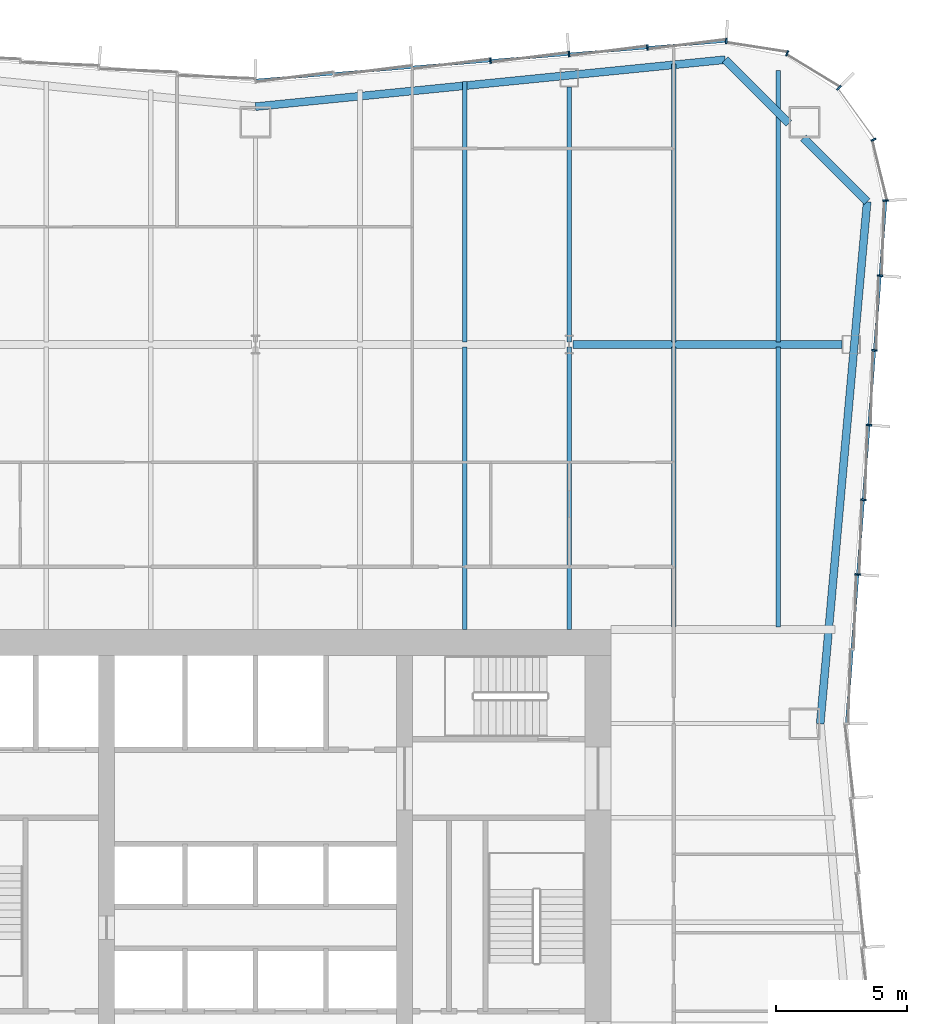
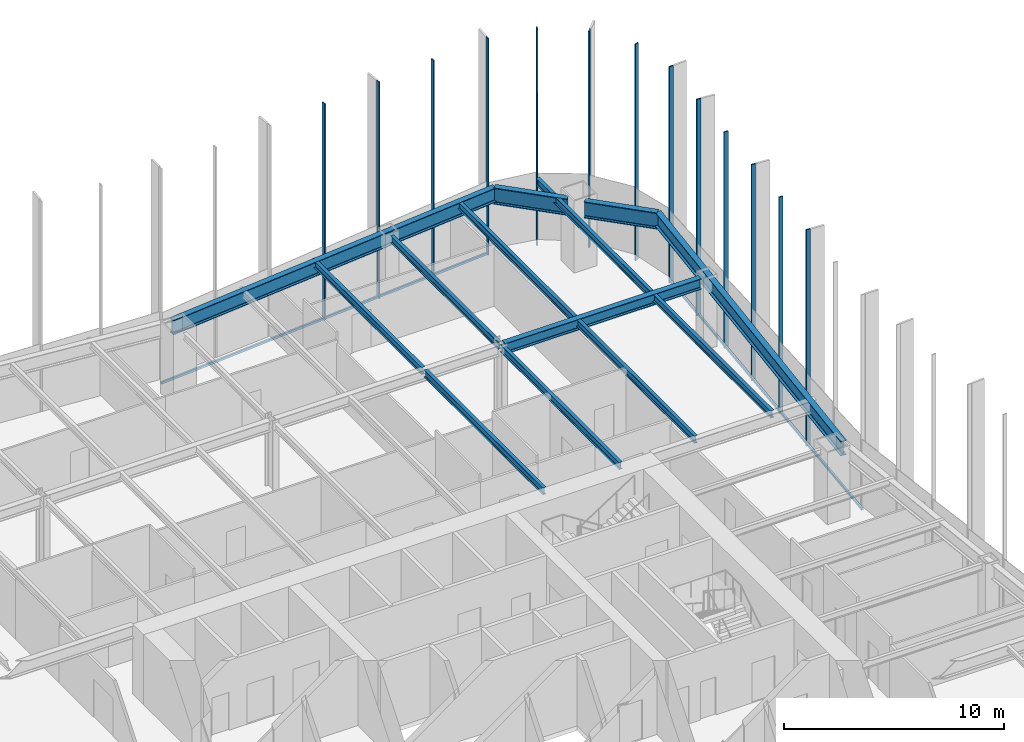
# One storey, part 7 of 13: 15 members, 13 beams, 3 elements without a shape of their own.
"""IFC4 building model written with IfcOpenShell, lengths in metres."""

import ifcopenshell
import ifcopenshell.guid

model = None  # the IFC model being written
_history = None  # IfcOwnerHistory: only IFC2X3 demands one
_inside = {}  # id of a spatial element -> (the spatial element, [elements in it])
_under = {}  # id of a project, library or spatial element -> (it, [spatial elements below it])
_declared = {}  # id of a project -> (the project, [libraries it declares])
_typed = {}  # id of a type object -> (the type object, [elements of that type])
_made_of = {}  # id of a material, layer set ... -> (it, [elements and type objects made of it])


def new_model(schema):
    """Start an empty IFC model of exactly this schema.

    Asked for "IFC4X3", IfcOpenShell would pick the latest addendum, in which some entities
    have other attributes; the version numbers below select the first issue.
    IFC2X3 requires an IfcOwnerHistory on every rooted entity: one is made here for all.
    """
    global model, _history
    if schema == "IFC4X3":
        model = ifcopenshell.file(schema_version=(4, 3, 0, 0))
    else:
        model = ifcopenshell.file(schema=schema)
    _inside.clear()
    _under.clear()
    _declared.clear()
    _typed.clear()
    _made_of.clear()
    _history = None
    if model.schema == "IFC2X3":
        org = make("IfcOrganization", Name="unknown")
        user = make(
            "IfcPersonAndOrganization",
            ThePerson=make("IfcPerson", FamilyName="unknown"),
            TheOrganization=org,
        )
        app = make(
            "IfcApplication",
            ApplicationDeveloper=org,
            Version="unknown",
            ApplicationFullName="unknown",
            ApplicationIdentifier="unknown",
        )
        _history = make(
            "IfcOwnerHistory",
            OwningUser=user,
            OwningApplication=app,
            ChangeAction="ADDED",
            CreationDate=0,
        )
    return model


def make(cls, **values):
    """One entity of the class cls with the attributes given. An attribute that is None is left unset."""
    return model.create_entity(
        cls, **{name: value for name, value in values.items() if value is not None}
    )


def rooted(cls, **values):
    """An entity with a GlobalId (a new one), such as an element, a storey or a relation."""
    return make(cls, GlobalId=ifcopenshell.guid.new(), OwnerHistory=_history, **values)


def si_unit(unit_type, name, prefix=None):
    """IfcSIUnit, for example si_unit("LENGTHUNIT", "METRE", prefix="MILLI")."""
    return make("IfcSIUnit", UnitType=unit_type, Prefix=prefix, Name=name)


def assignment(units):
    """IfcUnitAssignment: the units of a project."""
    return None if units is None else make("IfcUnitAssignment", Units=units)


def point(xyz):
    """IfcCartesianPoint."""
    return None if xyz is None else make("IfcCartesianPoint", Coordinates=xyz)


def direction(xyz):
    """IfcDirection."""
    return None if xyz is None else make("IfcDirection", DirectionRatios=xyz)


def frame(location, z_axis=None, x_axis=None):
    """IfcAxis2Placement3D, a coordinate frame: its origin and axes. An axis left out is left unset."""
    return make(
        "IfcAxis2Placement3D",
        Location=point(location),
        Axis=direction(z_axis),
        RefDirection=direction(x_axis),
    )


def frame_2d(location, x_axis=None):
    """IfcAxis2Placement2D, a coordinate frame in the plane: its origin and x axis."""
    return make(
        "IfcAxis2Placement2D", Location=point(location), RefDirection=direction(x_axis)
    )


def origin():
    """The frame at (0, 0, 0) with its axes left unset."""
    return frame((0.0, 0.0, 0.0))


def origin_2d():
    """The frame at (0, 0) in the plane with its x axis left unset."""
    return frame_2d((0.0, 0.0))


def place(relative_to, where):
    """IfcLocalPlacement: puts the frame where relative to a parent placement (None: the world)."""
    return make(
        "IfcLocalPlacement", PlacementRelTo=relative_to, RelativePlacement=where
    )


def context(
    kind, dimensions, precision=None, world=None, true_north=None, identifier=None
):
    """IfcGeometricRepresentationContext, for example the 3D "Model" context."""
    return make(
        "IfcGeometricRepresentationContext",
        ContextIdentifier=identifier,
        ContextType=kind,
        CoordinateSpaceDimension=dimensions,
        Precision=precision,
        WorldCoordinateSystem=world,
        TrueNorth=true_north,
    )


def subcontext(parent, identifier, kind, view, scale=None):
    """IfcGeometricRepresentationSubContext, for example "Body" below "Model"."""
    return make(
        "IfcGeometricRepresentationSubContext",
        ContextIdentifier=identifier,
        ContextType=kind,
        ParentContext=parent,
        TargetScale=scale,
        TargetView=view,
    )


def project(units=None, contexts=None):
    """IfcProject with its units and contexts."""
    return rooted(
        "IfcProject",
        Name="project",
        RepresentationContexts=contexts,
        UnitsInContext=assignment(units),
    )


def spatial(cls, under=None, at=None, **own):
    """A site, building, storey or space (cls), placed at a placement, below another one or the project."""
    s = rooted(cls, ObjectPlacement=at, **own)
    if under is not None:
        _under.setdefault(under.id(), (under, []))[1].append(s)
    return s


def profile(cls, at=None, kind="AREA", **sizes):
    """A parametric profile (cls). Its sizes go by their IFC names, for example OverallWidth=200.0."""
    return make(cls, ProfileType=kind, Position=at, **sizes)


def rectangle(**sizes):
    """IfcRectangleProfileDef."""
    return profile("IfcRectangleProfileDef", **sizes)


def i_section(**sizes):
    """IfcIShapeProfileDef."""
    return profile("IfcIShapeProfileDef", **sizes)


def extrude(swept, where, along, depth):
    """IfcExtrudedAreaSolid: the profile swept, set in the frame where, extruded along a direction by depth."""
    return make(
        "IfcExtrudedAreaSolid",
        SweptArea=swept,
        Position=where,
        ExtrudedDirection=direction(along),
        Depth=depth,
    )


def shape(context_of_items, identifier, shape_type, items):
    """IfcShapeRepresentation: the items that make up one representation, for example the "Body"."""
    return make(
        "IfcShapeRepresentation",
        ContextOfItems=context_of_items,
        RepresentationIdentifier=identifier,
        RepresentationType=shape_type,
        Items=items,
    )


def material(Name=None, Category=None):
    """IfcMaterial."""
    return make("IfcMaterial", Name=Name, Category=Category)


def material_profile(
    of_material, cross_section, Name=None, Category=None, Priority=None
):
    """IfcMaterialProfile: a cross section and its material."""
    return make(
        "IfcMaterialProfile",
        Name=Name,
        Material=of_material,
        Profile=cross_section,
        Priority=Priority,
        Category=Category,
    )


def profile_set(profiles, Name=None, composite=None):
    """IfcMaterialProfileSet."""
    return make(
        "IfcMaterialProfileSet",
        Name=Name,
        MaterialProfiles=profiles,
        CompositeProfile=composite,
    )


def made_of(thing, what):
    """Note that an element or type object is made of a material, layer set ...; save() writes the relation."""
    if what is not None:
        _made_of.setdefault(what.id(), (what, []))[1].append(thing)
    return thing


def type_object(cls, material=None, **own):
    """A type object (cls), such as IfcWallType, which elements share."""
    return made_of(rooted(cls, **own), material)


def element(
    cls,
    number,
    at=None,
    inside=None,
    cuts=None,
    type_object=None,
    material=None,
    context=None,
    identifier="Body",
    shape_type=None,
    held_by="IfcProductDefinitionShape",
    body=None,
    shapes=None,
    **own,
):
    """One element of the class cls, such as IfcWall. Its Tag is "e" and its number.

    at: its placement. inside: the storey or other place that contains it. cuts: it is an
    opening in that element (IfcRelVoidsElement). A single representation is given by context,
    identifier, shape_type and body (its items); several are given by shapes. held_by: the class
    of the entity that holds the representations. save() writes the other relations.
    """
    e = rooted(cls, Tag="e%d" % number, ObjectPlacement=at, **own)
    if body is not None:
        shapes = [shape(context, identifier, shape_type, body)]
    if shapes is not None:
        e.Representation = make(held_by, Representations=shapes)
    if inside is not None:
        _inside.setdefault(inside.id(), (inside, []))[1].append(e)
    if cuts is not None:
        rooted(
            "IfcRelVoidsElement", RelatingBuildingElement=cuts, RelatedOpeningElement=e
        )
    if type_object is not None:
        _typed.setdefault(type_object.id(), (type_object, []))[1].append(e)
    return made_of(e, material)


def aggregate(whole, parts):
    """IfcRelAggregates: a whole, such as a stair, and the parts it consists of."""
    return rooted("IfcRelAggregates", RelatingObject=whole, RelatedObjects=parts)


def save(model, path):
    """Write the relations noted so far, then the file.

    IfcRelAggregates (storeys below a building ...), IfcRelContainedInSpatialStructure (elements
    in a storey), IfcRelDefinesByType, IfcRelAssociatesMaterial and IfcRelDeclares: one each for
    every whole, place, type object, material and project.
    """
    for whole, parts in _under.values():
        aggregate(whole, parts)
    for where, things in _inside.values():
        rooted(
            "IfcRelContainedInSpatialStructure",
            RelatedElements=things,
            RelatingStructure=where,
        )
    for kind, things in _typed.values():
        rooted("IfcRelDefinesByType", RelatedObjects=things, RelatingType=kind)
    for what, things in _made_of.values():
        rooted("IfcRelAssociatesMaterial", RelatedObjects=things, RelatingMaterial=what)
    for by, libraries in _declared.values():
        rooted("IfcRelDeclares", RelatingContext=by, RelatedDefinitions=libraries)
    model.write(path)


model = new_model("IFC4")

# Units and contexts
model_context = context("Model", 3, precision=1e-05, world=origin(), true_north=direction((0.0, 1.0)))
body_context = subcontext(model_context, "Body", "Model", "MODEL_VIEW")
ifc_project = project(units=[si_unit("LENGTHUNIT", "METRE"), si_unit("AREAUNIT", "SQUARE_METRE"), si_unit("VOLUMEUNIT", "CUBIC_METRE"), si_unit("PLANEANGLEUNIT", "RADIAN"), si_unit("MASSUNIT", "GRAM", prefix="KILO")], contexts=[model_context])

# Site, building, storey
site_placement = place(None, origin())
site = spatial("IfcSite", under=ifc_project, at=site_placement, CompositionType="ELEMENT")
building_placement = place(site_placement, origin())
building = spatial("IfcBuilding", under=site, at=building_placement, Name="Verdant Reach Tower", CompositionType="ELEMENT")
storey_placement = place(building_placement, frame((0.0, 0.0, 138.0)))
storey = spatial("IfcBuildingStorey", under=building, at=storey_placement, Name="L31", CompositionType="ELEMENT", Elevation=138.0)

# Curtain wall, members
ifc_material_1 = material(Name="Anodised aluminium", Category="aluminium")
curtain_wall_type = type_object("IfcCurtainWallType", Name="EN-CW SYSTEM Z2", PredefinedType="NOTDEFINED", material=ifc_material_1)
curtain_wall_1_placement = place(storey_placement, origin())
curtain_wall_1 = element("IfcCurtainWall", 1, at=curtain_wall_1_placement, inside=storey, type_object=curtain_wall_type, Name="Curtain wall east, L31", PredefinedType="NOTDEFINED")
ifc_material_profile_1 = material_profile(ifc_material_1, rectangle(XDim=0.2119140625, YDim=0.06396484375, at=origin_2d()), Name="Mullion 64x212")
ifc_profile_set_1 = profile_set([ifc_material_profile_1], Name="Anodised aluminium")
member_type_1 = type_object("IfcMemberType", Name="EN-MULLION Z2", PredefinedType="MULLION", material=ifc_profile_set_1)
member_1_placement = place(storey_placement, frame((23.0341796875, 40.706298828125, -0.35009765625), z_axis=(0.0, 0.0, 1.0), x_axis=(0.997199309888, -0.074789948245, 0.0)))
member_1 = element("IfcMember", 2, at=member_1_placement, type_object=member_type_1, Name="Mullion east face part 2 3, L31", PredefinedType="MULLION", context=body_context, shape_type="SweptSolid", body=[
    extrude(rectangle(XDim=0.2119140625, YDim=0.06396484375, at=origin_2d()), origin(), (0.0, 0.0, 1.0), 12.0),
])
member_2_placement = place(storey_placement, frame((23.24853515625, 43.5634765625, -0.35009765625), z_axis=(0.0, 0.0, 1.0), x_axis=(0.997199309888, -0.074789948245, 0.0)))
member_2 = element("IfcMember", 3, at=member_2_placement, type_object=member_type_1, Name="Mullion east face part 2 4, L31", PredefinedType="MULLION", context=body_context, shape_type="SweptSolid", body=[
    extrude(rectangle(XDim=0.2119140625, YDim=0.06396484375, at=origin_2d()), origin(), (0.0, 0.0, 1.0), 12.0),
])
member_3_placement = place(storey_placement, frame((23.462890625, 46.420654296875, -0.35009765625), z_axis=(0.0, 0.0, 1.0), x_axis=(0.997199309888, -0.074789948245, 0.0)))
member_3 = element("IfcMember", 4, at=member_3_placement, type_object=member_type_1, Name="Mullion east face part 2 5, L31", PredefinedType="MULLION", context=body_context, shape_type="SweptSolid", body=[
    extrude(rectangle(XDim=0.2119140625, YDim=0.06396484375, at=origin_2d()), origin(), (0.0, 0.0, 1.0), 12.0),
])
member_4_placement = place(storey_placement, frame((23.67724609375, 49.27783203125, -0.35009765625), z_axis=(0.0, 0.0, 1.0), x_axis=(0.997199309888, -0.074789948245, 0.0)))
member_4 = element("IfcMember", 5, at=member_4_placement, type_object=member_type_1, Name="Mullion east face part 2 6, L31", PredefinedType="MULLION", context=body_context, shape_type="SweptSolid", body=[
    extrude(rectangle(XDim=0.2119140625, YDim=0.06396484375, at=origin_2d()), origin(), (0.0, 0.0, 1.0), 12.0),
])
member_5_placement = place(storey_placement, frame((23.891357421875, 52.135009765625, -0.35009765625), z_axis=(0.0, 0.0, 1.0), x_axis=(0.997199309888, -0.074789948245, 0.0)))
member_5 = element("IfcMember", 6, at=member_5_placement, type_object=member_type_1, Name="Mullion east face part 2 7, L31", PredefinedType="MULLION", context=body_context, shape_type="SweptSolid", body=[
    extrude(rectangle(XDim=0.2119140625, YDim=0.06396484375, at=origin_2d()), origin(), (0.0, 0.0, 1.0), 12.0),
])

curtain_wall_2_placement = place(storey_placement, origin())
curtain_wall_2 = element("IfcCurtainWall", 7, at=curtain_wall_2_placement, inside=storey, type_object=curtain_wall_type, Name="Curtain wall north-east corner, L31", PredefinedType="NOTDEFINED")
member_6_placement = place(storey_placement, frame((24.105712890625, 55.00634765625, -0.35009765625), z_axis=(0.0, 0.0, 1.0), x_axis=(0.998155887542, 0.060702752526, 0.0)))
member_6 = element("IfcMember", 8, at=member_6_placement, type_object=member_type_1, Name="Mullion north-east corner 1, L31", PredefinedType="MULLION", context=body_context, shape_type="SweptSolid", body=[
    extrude(rectangle(XDim=0.2119140625, YDim=0.06396484375, at=origin_2d()), origin(), (0.0, 0.0, 1.0), 12.0),
])
member_7_placement = place(storey_placement, frame((23.64111328125, 57.336669921875, -0.35009765625), z_axis=(0.0, 0.0, 1.0), x_axis=(0.923875215753, 0.382693853776, 0.0)))
member_7 = element("IfcMember", 9, at=member_7_placement, type_object=member_type_1, Name="Mullion north-east corner 2, L31", PredefinedType="MULLION", context=body_context, shape_type="SweptSolid", body=[
    extrude(rectangle(XDim=0.2119140625, YDim=0.06396484375, at=origin_2d()), origin(), (0.0, 0.0, 1.0), 12.0),
])
member_8_placement = place(storey_placement, frame((22.317626953125, 59.317626953125, -0.35009765625), z_axis=(0.0, 0.0, 1.0), x_axis=(0.707106781187, 0.707106781187, 0.0)))
member_8 = element("IfcMember", 10, at=member_8_placement, type_object=member_type_1, Name="Mullion north-east corner 3, L31", PredefinedType="MULLION", context=body_context, shape_type="SweptSolid", body=[
    extrude(rectangle(XDim=0.2119140625, YDim=0.06396484375, at=origin_2d()), origin(), (0.0, 0.0, 1.0), 12.0),
])
member_9_placement = place(storey_placement, frame((20.336669921875, 60.64111328125, -0.35009765625), z_axis=(0.0, 0.0, 1.0), x_axis=(0.382693853776, 0.923875215753, 0.0)))
member_9 = element("IfcMember", 11, at=member_9_placement, type_object=member_type_1, Name="Mullion north-east corner 4, L31", PredefinedType="MULLION", context=body_context, shape_type="SweptSolid", body=[
    extrude(rectangle(XDim=0.2119140625, YDim=0.06396484375, at=origin_2d()), origin(), (0.0, 0.0, 1.0), 12.0),
])
aggregate(curtain_wall_2, [member_6, member_7, member_8, member_9])

curtain_wall_3_placement = place(storey_placement, origin())
curtain_wall_3 = element("IfcCurtainWall", 12, at=curtain_wall_3_placement, inside=storey, type_object=curtain_wall_type, Name="Curtain wall north, L31", PredefinedType="NOTDEFINED")
member_10_placement = place(storey_placement, frame((18.006103515625, 61.105712890625, -0.35009765625), z_axis=(0.0, 0.0, 1.0), x_axis=(0.056569187765, 0.998398681387, 0.0)))
member_10 = element("IfcMember", 13, at=member_10_placement, type_object=member_type_1, Name="Mullion north face part 1 1, L31", PredefinedType="MULLION", context=body_context, shape_type="SweptSolid", body=[
    extrude(rectangle(XDim=0.2119140625, YDim=0.06396484375, at=origin_2d()), origin(), (0.0, 0.0, 1.0), 12.0),
])
member_11_placement = place(storey_placement, frame((14.9912109375, 60.855712890625, -0.35009765625), z_axis=(0.0, 0.0, 1.0), x_axis=(-0.083045479859, 0.996545758244, 0.0)))
member_11 = element("IfcMember", 14, at=member_11_placement, type_object=member_type_1, Name="Mullion north face part 1 2, L31", PredefinedType="MULLION", context=body_context, shape_type="SweptSolid", body=[
    extrude(rectangle(XDim=0.2119140625, YDim=0.06396484375, at=origin_2d()), origin(), (0.0, 0.0, 1.0), 12.0),
])
member_12_placement = place(storey_placement, frame((11.9912109375, 60.605712890625, -0.35009765625), z_axis=(0.0, 0.0, 1.0), x_axis=(-0.083045479859, 0.996545758244, 0.0)))
member_12 = element("IfcMember", 15, at=member_12_placement, type_object=member_type_1, Name="Mullion north face part 1 3, L31", PredefinedType="MULLION", context=body_context, shape_type="SweptSolid", body=[
    extrude(rectangle(XDim=0.2119140625, YDim=0.06396484375, at=origin_2d()), origin(), (0.0, 0.0, 1.0), 12.0),
])
member_13_placement = place(storey_placement, frame((8.9912109375, 60.355712890625, -0.35009765625), z_axis=(0.0, 0.0, 1.0), x_axis=(-0.083045479859, 0.996545758244, 0.0)))
member_13 = element("IfcMember", 16, at=member_13_placement, type_object=member_type_1, Name="Mullion north face part 1 4, L31", PredefinedType="MULLION", context=body_context, shape_type="SweptSolid", body=[
    extrude(rectangle(XDim=0.2119140625, YDim=0.06396484375, at=origin_2d()), origin(), (0.0, 0.0, 1.0), 12.0),
])

# Member
ifc_material_profile_2 = material_profile(ifc_material_1, rectangle(XDim=0.10009765625, YDim=0.1240234375, at=origin_2d()), Name="Transom 124x100")
ifc_profile_set_2 = profile_set([ifc_material_profile_2], Name="Anodised aluminium")
member_type_2 = type_object("IfcMemberType", Name="EN-TRANSOM Z2", PredefinedType="USERDEFINED", material=ifc_profile_set_2)
member_14_placement = place(storey_placement, frame((22.6083984375, 35.031982421875, -0.2880859375), z_axis=(0.07476111665, 0.997201471839, 0.0), x_axis=(-0.997201471839, 0.07476111665, 0.0)))
member_14 = element("IfcMember", 17, at=member_14_placement, type_object=member_type_2, Name="Transom east face part 2 1.1, L31", ObjectType="TRANSOM", PredefinedType="USERDEFINED", context=body_context, shape_type="SweptSolid", body=[
    extrude(rectangle(XDim=0.10009765625, YDim=0.1240234375, at=origin_2d()), origin(), (0.0, 0.0, 1.0), 19.99853515625),
])

aggregate(curtain_wall_1, [member_1, member_2, member_3, member_4, member_5, member_14])

member_15_placement = place(storey_placement, frame((17.97412109375, 61.103271484375, -0.2880859375), z_axis=(-0.996548282776, -0.083015179915, 0.0), x_axis=(0.083015179915, -0.996548282776, 0.0)))
member_15 = element("IfcMember", 18, at=member_15_placement, type_object=member_type_2, Name="Transom north face part 1 1.1, L31", ObjectType="TRANSOM", PredefinedType="USERDEFINED", context=body_context, shape_type="SweptSolid", body=[
    extrude(rectangle(XDim=0.10009765625, YDim=0.1240234375, at=origin_2d()), origin(), (0.0, 0.0, 1.0), 18.00439453125),
])

aggregate(curtain_wall_3, [member_10, member_11, member_12, member_13, member_15])

# Beams
ifc_material_2 = material(Name="Steel S355", Category="steel")
ifc_material_profile_3 = material_profile(ifc_material_2, i_section(OverallWidth=0.300048828125, OverallDepth=0.60009765625, WebThickness=0.015380859375, FlangeThickness=0.030029296875, FilletRadius=0.027099609375, at=origin_2d()), Name="HEB 600")
ifc_profile_set_3 = profile_set([ifc_material_profile_3], Name="Steel S355")
beam_type_1 = type_object("IfcBeamType", Name="ST-BEAM-HEB600", PredefinedType="BEAM", material=ifc_profile_set_3)
beam_1_placement = place(storey_placement, frame((12.154052734375, 49.5, 3.570068359375), z_axis=(1.0, 0.0, 0.0), x_axis=(0.0, 1.0, 0.0)))
element("IfcBeam", 19, at=beam_1_placement, inside=storey, type_object=beam_type_1, Name="Row girder, L31", PredefinedType="BEAM", context=body_context, shape_type="SweptSolid", body=[
    extrude(i_section(OverallWidth=0.300048828125, OverallDepth=0.60009765625, WebThickness=0.015380859375, FlangeThickness=0.030029296875, FilletRadius=0.027099609375, at=origin_2d()), origin(), (0.0, 0.0, 1.0), 10.283447265625),
])
ifc_material_profile_4 = material_profile(ifc_material_2, i_section(OverallWidth=0.179931640625, OverallDepth=0.39990234375, WebThickness=0.008544921875, FlangeThickness=0.013427734375, FilletRadius=0.02099609375, at=origin_2d()), Name="IPE 400")
ifc_profile_set_4 = profile_set([ifc_material_profile_4], Name="Steel S355")
beam_type_2 = type_object("IfcBeamType", Name="ST-JOIST-IPE400", PredefinedType="JOIST", material=ifc_profile_set_4)
beam_2_placement = place(storey_placement, frame((8.0, 38.60009765625, 3.669921875), z_axis=(0.0, 1.0, 0.0), x_axis=(-1.0, 0.0, 0.0)))
element("IfcBeam", 20, at=beam_2_placement, inside=storey, type_object=beam_type_2, Name="Floor joist, L31", PredefinedType="JOIST", context=body_context, shape_type="SweptSolid", body=[
    extrude(i_section(OverallWidth=0.179931640625, OverallDepth=0.39990234375, WebThickness=0.008544921875, FlangeThickness=0.013427734375, FilletRadius=0.02099609375, at=origin_2d()), origin(), (0.0, 0.0, 1.0), 10.7998046875),
])
beam_3_placement = place(storey_placement, frame((8.0, 49.60009765625, 3.669921875), z_axis=(0.0, 1.0, 0.0), x_axis=(-1.0, 0.0, 0.0)))
element("IfcBeam", 21, at=beam_3_placement, inside=storey, type_object=beam_type_2, Name="Floor joist, L31", PredefinedType="JOIST", context=body_context, shape_type="SweptSolid", body=[
    extrude(i_section(OverallWidth=0.179931640625, OverallDepth=0.39990234375, WebThickness=0.008544921875, FlangeThickness=0.013427734375, FilletRadius=0.02099609375, at=origin_2d()), origin(), (0.0, 0.0, 1.0), 9.964599609375),
])
beam_4_placement = place(storey_placement, frame((12.0, 38.60009765625, 3.669921875), z_axis=(0.0, 1.0, 0.0), x_axis=(-1.0, 0.0, 0.0)))
element("IfcBeam", 22, at=beam_4_placement, inside=storey, type_object=beam_type_2, Name="Floor joist, L31", PredefinedType="JOIST", context=body_context, shape_type="SweptSolid", body=[
    extrude(i_section(OverallWidth=0.179931640625, OverallDepth=0.39990234375, WebThickness=0.008544921875, FlangeThickness=0.013427734375, FilletRadius=0.02099609375, at=origin_2d()), origin(), (0.0, 0.0, 1.0), 10.7998046875),
])
beam_5_placement = place(storey_placement, frame((12.0, 49.60009765625, 3.669921875), z_axis=(0.0, 1.0, 0.0), x_axis=(-1.0, 0.0, 0.0)))
element("IfcBeam", 23, at=beam_5_placement, inside=storey, type_object=beam_type_2, Name="Floor joist, L31", PredefinedType="JOIST", context=body_context, shape_type="SweptSolid", body=[
    extrude(i_section(OverallWidth=0.179931640625, OverallDepth=0.39990234375, WebThickness=0.008544921875, FlangeThickness=0.013427734375, FilletRadius=0.02099609375, at=origin_2d()), origin(), (0.0, 0.0, 1.0), 9.75),
])
beam_6_placement = place(storey_placement, frame((16.0, 38.699951171875, 3.669921875), z_axis=(0.0, 1.0, 0.0), x_axis=(-1.0, 0.0, 0.0)))
element("IfcBeam", 24, at=beam_6_placement, inside=storey, type_object=beam_type_2, Name="Floor joist, L31", PredefinedType="JOIST", context=body_context, shape_type="SweptSolid", body=[
    extrude(i_section(OverallWidth=0.179931640625, OverallDepth=0.39990234375, WebThickness=0.008544921875, FlangeThickness=0.013427734375, FilletRadius=0.02099609375, at=origin_2d()), origin(), (0.0, 0.0, 1.0), 10.699951171875),
])
beam_7_placement = place(storey_placement, frame((16.0, 49.60009765625, 3.669921875), z_axis=(0.0, 1.0, 0.0), x_axis=(-1.0, 0.0, 0.0)))
element("IfcBeam", 25, at=beam_7_placement, inside=storey, type_object=beam_type_2, Name="Floor joist, L31", PredefinedType="JOIST", context=body_context, shape_type="SweptSolid", body=[
    extrude(i_section(OverallWidth=0.179931640625, OverallDepth=0.39990234375, WebThickness=0.008544921875, FlangeThickness=0.013427734375, FilletRadius=0.02099609375, at=origin_2d()), origin(), (0.0, 0.0, 1.0), 10.631103515625),
])
beam_8_placement = place(storey_placement, frame((20.0, 38.699951171875, 3.669921875), z_axis=(0.0, 1.0, 0.0), x_axis=(-1.0, 0.0, 0.0)))
element("IfcBeam", 26, at=beam_8_placement, inside=storey, type_object=beam_type_2, Name="Floor joist, L31", PredefinedType="JOIST", context=body_context, shape_type="SweptSolid", body=[
    extrude(i_section(OverallWidth=0.179931640625, OverallDepth=0.39990234375, WebThickness=0.008544921875, FlangeThickness=0.013427734375, FilletRadius=0.02099609375, at=origin_2d()), origin(), (0.0, 0.0, 1.0), 10.699951171875),
])
beam_9_placement = place(storey_placement, frame((20.0, 49.60009765625, 3.669921875), z_axis=(0.0, 1.0, 0.0), x_axis=(-1.0, 0.0, 0.0)))
element("IfcBeam", 27, at=beam_9_placement, inside=storey, type_object=beam_type_2, Name="Floor joist, L31", PredefinedType="JOIST", context=body_context, shape_type="SweptSolid", body=[
    extrude(i_section(OverallWidth=0.179931640625, OverallDepth=0.39990234375, WebThickness=0.008544921875, FlangeThickness=0.013427734375, FilletRadius=0.02099609375, at=origin_2d()), origin(), (0.0, 0.0, 1.0), 10.390380859375),
])
ifc_material_profile_5 = material_profile(ifc_material_2, i_section(OverallWidth=0.300048828125, OverallDepth=0.800048828125, WebThickness=0.017578125, FlangeThickness=0.032958984375, FilletRadius=0.030029296875, at=origin_2d()), Name="HEB 800")
ifc_profile_set_5 = profile_set([ifc_material_profile_5], Name="Steel S355")
beam_type_3 = type_object("IfcBeamType", Name="ST-SPANDREL-HEB800", PredefinedType="SPANDREL", material=ifc_profile_set_5)
beam_10_placement = place(storey_placement, frame((0.0, 58.60009765625, 3.469970703125), z_axis=(0.995046289869, 0.099412680371, 0.0), x_axis=(-0.099412680371, 0.995046289869, 0.0)))
element("IfcBeam", 28, at=beam_10_placement, inside=storey, type_object=beam_type_3, Name="Edge beam, L31", PredefinedType="SPANDREL", context=body_context, shape_type="SweptSolid", body=[
    extrude(i_section(OverallWidth=0.300048828125, OverallDepth=0.800048828125, WebThickness=0.017578125, FlangeThickness=0.032958984375, FilletRadius=0.030029296875, at=origin_2d()), origin(), (0.0, 0.0, 1.0), 18.05517578125),
])
beam_11_placement = place(storey_placement, frame((23.3955078125, 54.963134765625, 3.469970703125), z_axis=(-0.089574749266, -0.995980102358, 0.0), x_axis=(0.995980102358, -0.089574749266, 0.0)))
element("IfcBeam", 29, at=beam_11_placement, inside=storey, type_object=beam_type_3, Name="Edge beam, L31", PredefinedType="SPANDREL", context=body_context, shape_type="SweptSolid", body=[
    extrude(i_section(OverallWidth=0.300048828125, OverallDepth=0.800048828125, WebThickness=0.017578125, FlangeThickness=0.032958984375, FilletRadius=0.030029296875, at=origin_2d()), origin(), (0.0, 0.0, 1.0), 20.043701171875),
])
ifc_material_profile_6 = material_profile(ifc_material_2, i_section(OverallWidth=0.302001953125, OverallDepth=0.909912109375, WebThickness=0.02099609375, FlangeThickness=0.0400390625, FilletRadius=0.030029296875, at=origin_2d()), Name="HEM 900")
ifc_profile_set_6 = profile_set([ifc_material_profile_6], Name="Steel S355")
beam_type_4 = type_object("IfcBeamType", Name="ST-SPANDREL-HEM900", PredefinedType="SPANDREL", material=ifc_profile_set_6)
beam_12_placement = place(storey_placement, frame((17.9658203125, 60.39501953125, 3.4150390625), z_axis=(0.70696494852, -0.70724858541, 0.0), x_axis=(0.70724858541, 0.70696494852, 0.0)))
element("IfcBeam", 30, at=beam_12_placement, inside=storey, type_object=beam_type_4, Name="Edge beam, L31", PredefinedType="SPANDREL", context=body_context, shape_type="SweptSolid", body=[
    extrude(i_section(OverallWidth=0.302001953125, OverallDepth=0.909912109375, WebThickness=0.02099609375, FlangeThickness=0.0400390625, FilletRadius=0.030029296875, at=origin_2d()), origin(), (0.0, 0.0, 1.0), 3.443115234375),
])
beam_13_placement = place(storey_placement, frame((20.959716796875, 57.39990234375, 3.4150390625), z_axis=(0.706965048022, -0.707248485948, 0.0), x_axis=(0.707248485948, 0.706965048022, 0.0)))
element("IfcBeam", 31, at=beam_13_placement, inside=storey, type_object=beam_type_4, Name="Edge beam, L31", PredefinedType="SPANDREL", context=body_context, shape_type="SweptSolid", body=[
    extrude(i_section(OverallWidth=0.302001953125, OverallDepth=0.909912109375, WebThickness=0.02099609375, FlangeThickness=0.0400390625, FilletRadius=0.030029296875, at=origin_2d()), origin(), (0.0, 0.0, 1.0), 3.4453125),
])

save(model, "model.ifc")
